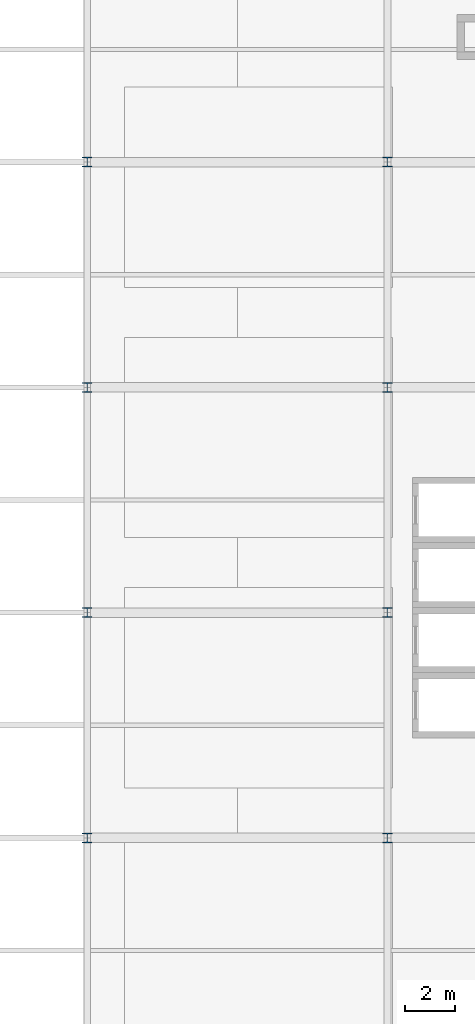
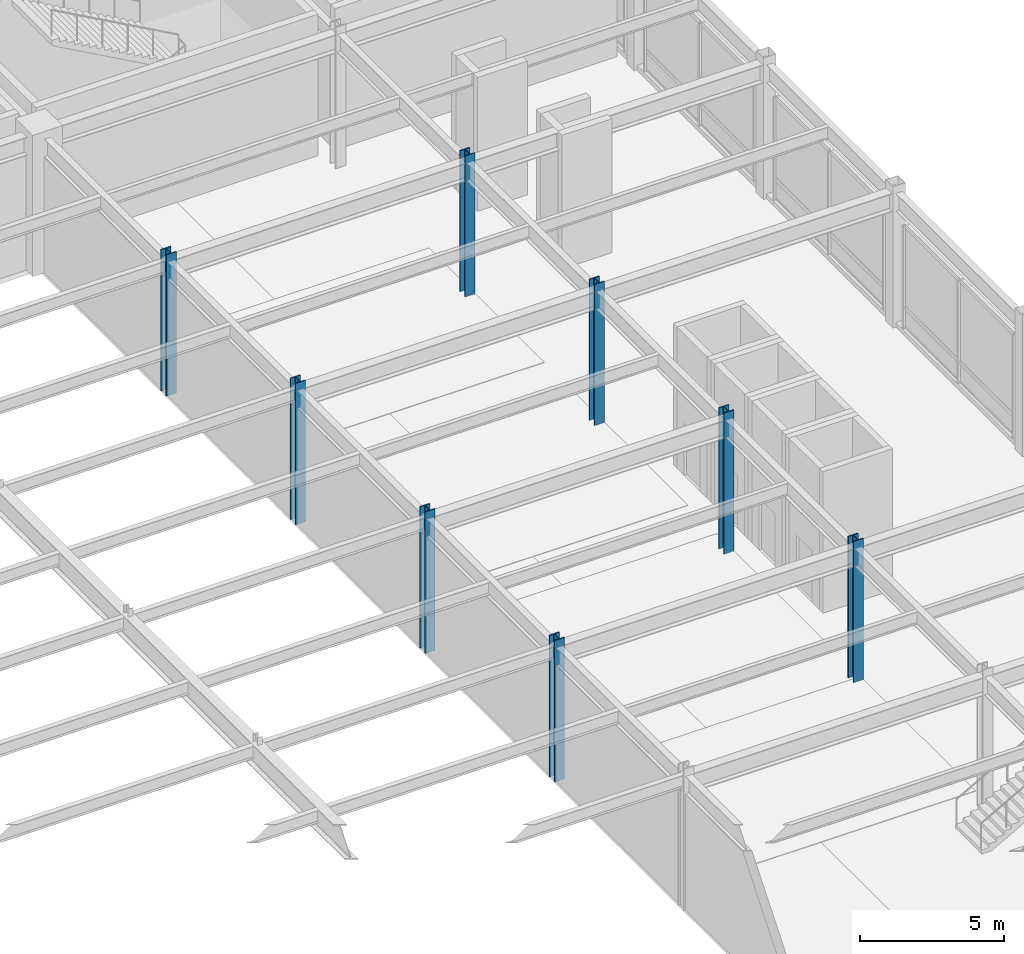
# One storey, part 5 of 105: 8 columns.
"""IFC4 building model written with IfcOpenShell, lengths in metres."""

from ifc_helpers import new_model, si_unit, direction, frame, origin, origin_2d, place, context, subcontext, project, spatial, i_section, extrude, material, material_profile, profile_set, type_object, element, save


model = new_model("IFC4")

# Units and contexts
model_context = context("Model", 3, precision=1e-05, world=origin(), true_north=direction((0.0, 1.0)))
body_context = subcontext(model_context, "Body", "Model", "MODEL_VIEW")
ifc_project = project(units=[si_unit("LENGTHUNIT", "METRE"), si_unit("AREAUNIT", "SQUARE_METRE"), si_unit("VOLUMEUNIT", "CUBIC_METRE"), si_unit("PLANEANGLEUNIT", "RADIAN"), si_unit("MASSUNIT", "GRAM", prefix="KILO")], contexts=[model_context])

# Site, building, storey
site_placement = place(None, origin())
site = spatial("IfcSite", under=ifc_project, at=site_placement, CompositionType="ELEMENT")
building_placement = place(site_placement, origin())
building = spatial("IfcBuilding", under=site, at=building_placement, Name="Kaldorvane Square Convention Centre", CompositionType="ELEMENT")
storey_placement = place(building_placement, frame((0.0, 0.0, 6.0)))
storey = spatial("IfcBuildingStorey", under=building, at=storey_placement, Name="L01", CompositionType="ELEMENT", Elevation=6.0)

# Columns
ifc_material = material(Name="Steel ASTM A992 Gr. 50", Category="steel")
ifc_material_profile = material_profile(ifc_material, i_section(OverallWidth=0.40130615234375, OverallDepth=0.3993072509765625, WebThickness=0.02490234375, FlangeThickness=0.0395965576171875, FilletRadius=0.0305023193359375, at=origin_2d()), Name="W14X211")
ifc_profile_set = profile_set([ifc_material_profile], Name="Steel ASTM A992 Gr. 50")
column_type = type_object("IfcColumnType", Name="COL-STL-211", PredefinedType="COLUMN", material=ifc_profile_set)
for number, where, z_axis, x_axis, name in (
    (1, (114.0, 36.0, 0.0), (0.0, 0.0, 1.0), (1.0, 0.0, 0.0), "Column SC-08 (L01)"),
    (2, (114.0, 45.0, 0.0), (0.0, 0.0, 1.0), (1.0, 0.0, 0.0), "Column SC-08 (L01)"),
    (3, (114.0, 54.0, 0.0), (0.0, 0.0, 1.0), (1.0, 0.0, 0.0), "Column SC-08 (L01)"),
    (4, (114.0, 63.0, 0.0), (0.0, 0.0, 1.0), (1.0, 0.0, 0.0), "Column SC-08 (L01)"),
    (5, (126.0, 36.0, 0.0), (0.0, 0.0, 1.0), (1.0, 0.0, 0.0), "Column SC-08 (L01)"),
    (6, (126.0, 45.0, 0.0), (0.0, 0.0, 1.0), (1.0, 0.0, 0.0), "Column SC-08 (L01)"),
    (7, (126.0, 54.0, 0.0), (0.0, 0.0, 1.0), (1.0, 0.0, 0.0), "Column SC-08 (L01)"),
    (8, (126.0, 63.0, 0.0), (0.0, 0.0, 1.0), (1.0, 0.0, 0.0), "Column SC-08 (L01)"),
):
    element("IfcColumn", number, at=place(storey_placement, frame(where, z_axis=z_axis, x_axis=x_axis)), inside=storey, type_object=column_type, Name=name, PredefinedType="COLUMN", context=body_context, shape_type="SweptSolid", body=[
        extrude(i_section(OverallWidth=0.40130615234375, OverallDepth=0.3993072509765625, WebThickness=0.02490234375, FlangeThickness=0.0395965576171875, FilletRadius=0.0305023193359375, at=origin_2d()), origin(), (0.0, 0.0, 1.0), 6.0),
    ])

save(model, "model.ifc")
